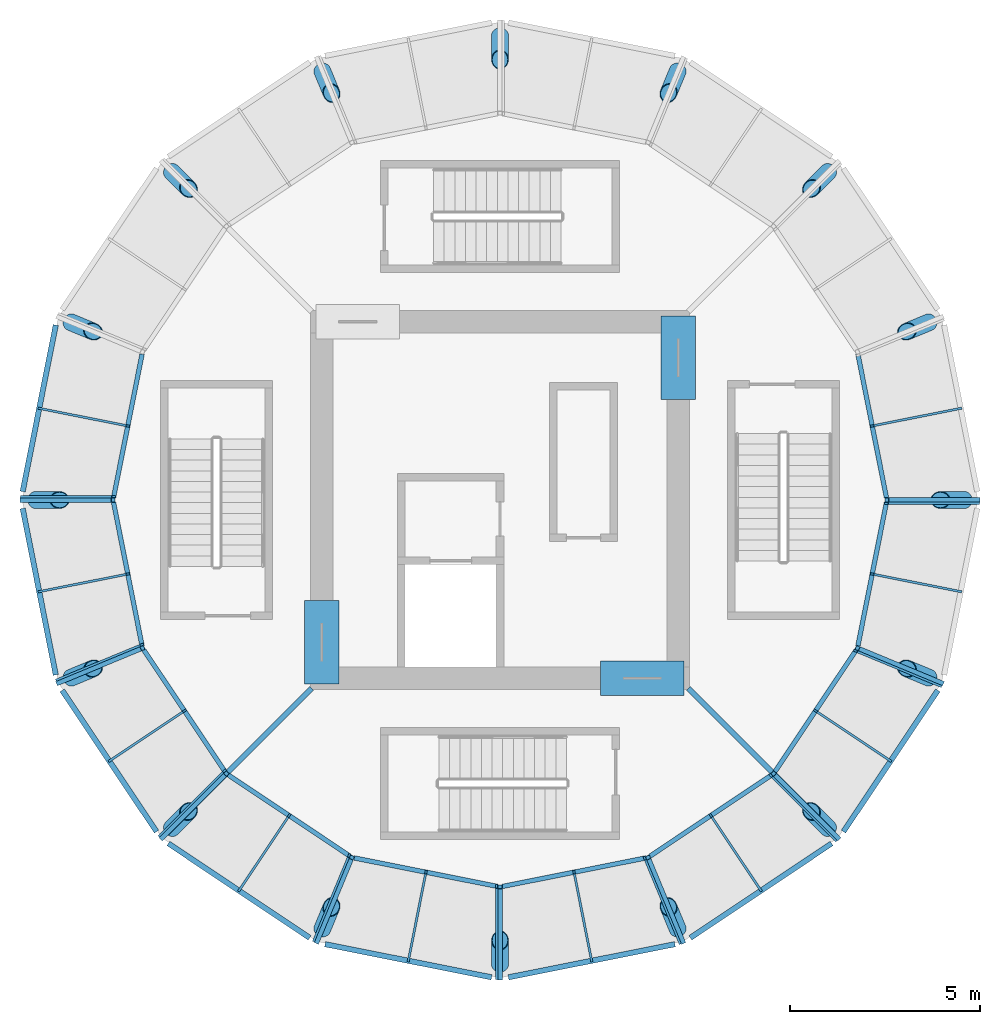
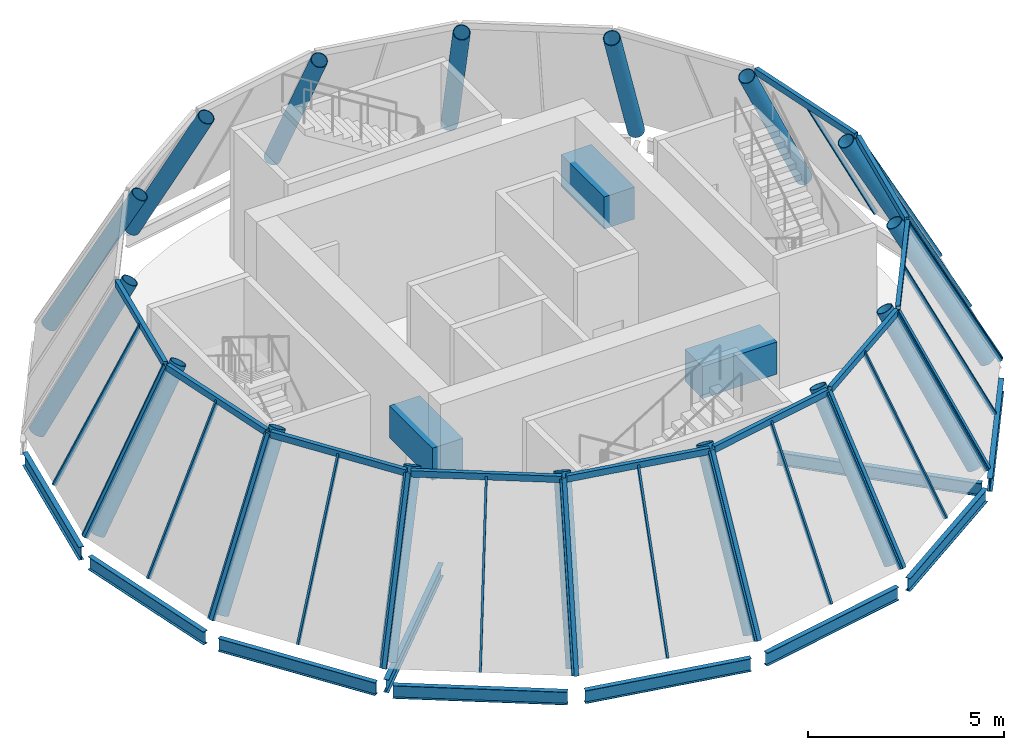
# One storey, part 1 of 5: 38 members, 16 columns, 13 beams, 10 elements without a shape of their own.
"""IFC4 building model written with IfcOpenShell, lengths in metres."""

from ifc_helpers import new_model, si_unit, direction, frame, origin, origin_2d, place, context, subcontext, project, spatial, rectangle, hollow_rectangle, hollow_circle, i_section, extrude, material, material_profile, profile_set, type_object, element, aggregate, save


model = new_model("IFC4")

# Units and contexts
model_context = context("Model", 3, precision=1e-05, world=origin(), true_north=direction((0.0, 1.0)))
body_context = subcontext(model_context, "Body", "Model", "MODEL_VIEW")
ifc_project = project(units=[si_unit("LENGTHUNIT", "METRE"), si_unit("AREAUNIT", "SQUARE_METRE"), si_unit("VOLUMEUNIT", "CUBIC_METRE"), si_unit("PLANEANGLEUNIT", "RADIAN"), si_unit("MASSUNIT", "GRAM", prefix="KILO")], contexts=[model_context])

# Site, building, storey
site_placement = place(None, origin())
site = spatial("IfcSite", under=ifc_project, at=site_placement, CompositionType="ELEMENT")
building_placement = place(site_placement, origin())
building = spatial("IfcBuilding", under=site, at=building_placement, Name="Corvane Civic Tower", CompositionType="ELEMENT")
storey_placement = place(building_placement, frame((0.0, 0.0, 402.0)))
storey = spatial("IfcBuildingStorey", under=building, at=storey_placement, Name="L95", CompositionType="ELEMENT", Elevation=402.0)

# Columns
ifc_material_1 = material(Name="Steel ASTM A572 Gr 50", Category="steel")
ifc_material_profile_1 = material_profile(ifc_material_1, hollow_circle(Radius=0.22509765625, WallThickness=0.02001953125, at=origin_2d()), Name="CHS450X20")
ifc_profile_set_1 = profile_set([ifc_material_profile_1], Name="Steel ASTM A572 Gr 50")
column_type = type_object("IfcColumnType", Name="CROWN RIB CHS450X20", PredefinedType="COLUMN", material=ifc_profile_set_1)
for number, where, z_axis, x_axis, name in (
    (1, (0.0, 12.24658203125, 0.00634765625), (0.0, -0.470608158526, 0.882342315164), (1.0, 0.0, 0.0), "Crown rib CR-1"),
    (2, (4.6865234375, 11.314453125, 0.00634765625), (-0.180078815568, -0.434770622931, 0.88235260844), (0.923886348888, -0.382666975762, 0.0), "Crown rib CR-3"),
    (3, (8.65966796875, 8.65966796875, 0.00634765625), (-0.332758889754, -0.332758889754, 0.882350861381), (0.707106781187, -0.707106781187, 0.0), "Crown rib CR-5"),
    (4, (11.314453125, 4.6865234375, 0.00634765625), (-0.434770622931, -0.180078815568, 0.88235260844), (0.382666975762, -0.923886348888, 0.0), "Crown rib CR-7"),
    (5, (12.24658203125, 0.0, 0.00634765625), (-0.470608158526, 0.0, 0.882342315164), (0.0, -1.0, 0.0), "Crown rib CR-9"),
    (6, (11.314453125, -4.6865234375, 0.00634765625), (-0.434770622931, 0.180078815568, 0.88235260844), (-0.382666975762, -0.923886348888, 0.0), "Crown rib CR-11"),
    (7, (8.65966796875, -8.65966796875, 0.00634765625), (-0.332758889754, 0.332758889754, 0.882350861381), (-0.707106781187, -0.707106781187, 0.0), "Crown rib CR-13"),
    (8, (4.6865234375, -11.314453125, 0.00634765625), (-0.180078815568, 0.434770622931, 0.88235260844), (-0.923886348888, -0.382666975762, 0.0), "Crown rib CR-15"),
    (9, (0.0, -12.24658203125, 0.00634765625), (0.0, 0.470608158526, 0.882342315164), (-1.0, 0.0, 0.0), "Crown rib CR-17"),
    (10, (-4.6865234375, -11.314453125, 0.00634765625), (0.180078815568, 0.434770622931, 0.88235260844), (-0.923886348888, 0.382666975762, 0.0), "Crown rib CR-19"),
    (11, (-8.65966796875, -8.65966796875, 0.00634765625), (0.332758889754, 0.332758889754, 0.882350861381), (-0.707106781187, 0.707106781187, 0.0), "Crown rib CR-21"),
    (12, (-11.314453125, -4.6865234375, 0.00634765625), (0.434770622931, 0.180078815568, 0.88235260844), (-0.382666975762, 0.923886348888, 0.0), "Crown rib CR-23"),
    (13, (-12.24658203125, 0.0, 0.00634765625), (0.470608158526, 0.0, 0.882342315164), (0.0, 1.0, 0.0), "Crown rib CR-25"),
    (14, (-11.314453125, 4.6865234375, 0.00634765625), (0.434770622931, -0.180078815568, 0.88235260844), (0.382666975762, 0.923886348888, 0.0), "Crown rib CR-27"),
    (15, (-8.65966796875, 8.65966796875, 0.00634765625), (0.332758889754, -0.332758889754, 0.882350861381), (0.707106781187, 0.707106781187, 0.0), "Crown rib CR-29"),
    (16, (-4.6865234375, 11.314453125, 0.00634765625), (0.180078815568, -0.434770622931, 0.88235260844), (0.923886348888, 0.382666975762, 0.0), "Crown rib CR-31"),
):
    element("IfcColumn", number, at=place(storey_placement, frame(where, z_axis=z_axis, x_axis=x_axis)), inside=storey, type_object=column_type, Name=name, PredefinedType="COLUMN", context=body_context, shape_type="SweptSolid", body=[
        extrude(hollow_circle(Radius=0.22509765625, WallThickness=0.02001953125, at=origin_2d()), origin(), (0.0, 0.0, 1.0), 5.088134765625),
    ])

# Beams
ifc_material_2 = material(Name="Concrete C40/50", Category="concrete")
ifc_material_profile_2 = material_profile(ifc_material_2, rectangle(XDim=0.89990234375, YDim=1.0, at=origin_2d()), Name="COUPLING BEAM 900X1000")
ifc_profile_set_2 = profile_set([ifc_material_profile_2], Name="Concrete C40/50")
beam_type_1 = type_object("IfcBeamType", Name="COUPLING BEAM COUPLING BEAM 900X1000", PredefinedType="BEAM", material=ifc_profile_set_2)
for number, where, z_axis, x_axis, name in (
    (17, (4.699951171875, 2.64990234375, 2.60009765625), (0.0, 1.0, 0.0), (-1.0, 0.0, 0.0), "BM-L95-cpl-CW-E"),
    (18, (-4.699951171875, -4.85009765625, 2.60009765625), (0.0, 1.0, 0.0), (-1.0, 0.0, 0.0), "BM-L95-cpl-CW-W"),
    (19, (2.64990234375, -4.699951171875, 2.60009765625), (1.0, 0.0, 0.0), (0.0, 1.0, 0.0), "BM-L95-cpl-CW-S"),
):
    element("IfcBeam", number, at=place(storey_placement, frame(where, z_axis=z_axis, x_axis=x_axis)), inside=storey, type_object=beam_type_1, Name=name, PredefinedType="BEAM", context=body_context, shape_type="SweptSolid", body=[
        extrude(rectangle(XDim=0.89990234375, YDim=1.0, at=origin_2d()), origin(), (0.0, 0.0, 1.0), 2.2001953125),
    ])

# Curtain wall, members
ifc_material_3 = material(Name="Aluminium and glass", Category="aluminium")
curtain_wall_type = type_object("IfcCurtainWallType", Name="CROWN-CW-K-FACET", PredefinedType="NOTDEFINED", material=ifc_material_3)
curtain_wall_1_placement = place(storey_placement, origin())
curtain_wall_1 = element("IfcCurtainWall", 20, at=curtain_wall_1_placement, inside=storey, type_object=curtain_wall_type, Name="Glass cone facet 4 row 4", PredefinedType="NOTDEFINED")
ifc_material_4 = material(Name="Steel ASTM A500 Gr C", Category="steel")
ifc_material_profile_3 = material_profile(ifc_material_4, hollow_rectangle(XDim=0.06005859375, YDim=0.1201171875, WallThickness=0.0048828125, at=origin_2d()), Name="RHS 120x60x5")
ifc_profile_set_3 = profile_set([ifc_material_profile_3], Name="Steel ASTM A500 Gr C")
member_type_1 = type_object("IfcMemberType", Name="CROWN-CWK-MULLION-RHS120x60x5", PredefinedType="MULLION", material=ifc_profile_set_3)
member_1_placement = place(storey_placement, frame((-12.12060546875, 2.410888671875, 0.0), z_axis=(0.454625825954, -0.090425206579, 0.886080493178), x_axis=(0.195078923253, 0.980787547689, 0.0)))
member_1 = element("IfcMember", 21, at=member_1_placement, type_object=member_type_1, Name="Cone mullion 4.4M", PredefinedType="MULLION", context=body_context, shape_type="SweptSolid", body=[
    extrude(hollow_rectangle(XDim=0.06005859375, YDim=0.1201171875, WallThickness=0.0048828125, at=origin_2d()), origin(), (0.0, 0.0, 1.0), 5.07861328125),
])
member_2_placement = place(storey_placement, frame((-12.58251953125, 0.08837890625, 0.0), z_axis=(0.470610596591, 0.0, 0.882341014787), x_axis=(0.0, 1.0, 0.0)))
member_2 = element("IfcMember", 22, at=member_2_placement, type_object=member_type_1, Name="Cone mullion 4.4J", PredefinedType="MULLION", context=body_context, shape_type="SweptSolid", body=[
    extrude(hollow_rectangle(XDim=0.06005859375, YDim=0.1201171875, WallThickness=0.0048828125, at=origin_2d()), origin(), (0.0, 0.0, 1.0), 5.10009765625),
])

curtain_wall_2_placement = place(storey_placement, origin())
curtain_wall_2 = element("IfcCurtainWall", 23, at=curtain_wall_2_placement, inside=storey, type_object=curtain_wall_type, Name="Glass cone facet 5 row 4", PredefinedType="NOTDEFINED")
member_3_placement = place(storey_placement, frame((-12.12060546875, -2.410888671875, 0.0), z_axis=(0.454625825954, 0.090425206579, 0.886080493178), x_axis=(-0.195078923253, 0.980787547689, 0.0)))
member_3 = element("IfcMember", 24, at=member_3_placement, type_object=member_type_1, Name="Cone mullion 5.4M", PredefinedType="MULLION", context=body_context, shape_type="SweptSolid", body=[
    extrude(hollow_rectangle(XDim=0.06005859375, YDim=0.1201171875, WallThickness=0.0048828125, at=origin_2d()), origin(), (0.0, 0.0, 1.0), 5.07861328125),
])
member_4_placement = place(storey_placement, frame((-11.658447265625, -4.7333984375, 0.0), z_axis=(0.434762490844, 0.180089902065, 0.882354352701), x_axis=(-0.382693194178, 0.923875488976, 0.0)))
member_4 = element("IfcMember", 25, at=member_4_placement, type_object=member_type_1, Name="Cone mullion 5.4J", PredefinedType="MULLION", context=body_context, shape_type="SweptSolid", body=[
    extrude(hollow_rectangle(XDim=0.06005859375, YDim=0.1201171875, WallThickness=0.0048828125, at=origin_2d()), origin(), (0.0, 0.0, 1.0), 5.10009765625),
])

curtain_wall_3_placement = place(storey_placement, origin())
curtain_wall_3 = element("IfcCurtainWall", 26, at=curtain_wall_3_placement, inside=storey, type_object=curtain_wall_type, Name="Glass cone facet 6 row 4", PredefinedType="NOTDEFINED")
member_5_placement = place(storey_placement, frame((-10.275146484375, -6.865478515625, 0.0), z_axis=(0.385366081489, 0.257487616324, 0.886111229292), x_axis=(-0.555561630453, 0.831475360289, 0.0)))
member_5 = element("IfcMember", 27, at=member_5_placement, type_object=member_type_1, Name="Cone mullion 6.4M", PredefinedType="MULLION", context=body_context, shape_type="SweptSolid", body=[
    extrude(hollow_rectangle(XDim=0.06005859375, YDim=0.1201171875, WallThickness=0.0048828125, at=origin_2d()), origin(), (0.0, 0.0, 1.0), 5.078369140625),
])
member_6_placement = place(storey_placement, frame((-8.95947265625, -8.834716796875, 0.0), z_axis=(0.332750821305, 0.332750821305, 0.882356946956), x_axis=(-0.707106781187, 0.707106781187, 0.0)))
member_6 = element("IfcMember", 28, at=member_6_placement, type_object=member_type_1, Name="Cone mullion 6.4J", PredefinedType="MULLION", context=body_context, shape_type="SweptSolid", body=[
    extrude(hollow_rectangle(XDim=0.06005859375, YDim=0.1201171875, WallThickness=0.0048828125, at=origin_2d()), origin(), (0.0, 0.0, 1.0), 5.10009765625),
])

curtain_wall_4_placement = place(storey_placement, origin())
curtain_wall_4 = element("IfcCurtainWall", 29, at=curtain_wall_4_placement, inside=storey, type_object=curtain_wall_type, Name="Glass cone facet 7 row 4", PredefinedType="NOTDEFINED")
member_7_placement = place(storey_placement, frame((-6.865478515625, -10.275146484375, 0.0), z_axis=(0.257487616324, 0.385366081489, 0.886111229292), x_axis=(-0.831475360289, 0.555561630453, 0.0)))
member_7 = element("IfcMember", 30, at=member_7_placement, type_object=member_type_1, Name="Cone mullion 7.4M", PredefinedType="MULLION", context=body_context, shape_type="SweptSolid", body=[
    extrude(hollow_rectangle(XDim=0.06005859375, YDim=0.1201171875, WallThickness=0.0048828125, at=origin_2d()), origin(), (0.0, 0.0, 1.0), 5.078369140625),
])
member_8_placement = place(storey_placement, frame((-4.896484375, -11.5908203125, 0.0), z_axis=(0.180043583242, 0.434766238501, 0.882361958605), x_axis=(-0.923911452626, 0.3826063613, 0.0)))
member_8 = element("IfcMember", 31, at=member_8_placement, type_object=member_type_1, Name="Cone mullion 7.4J", PredefinedType="MULLION", context=body_context, shape_type="SweptSolid", body=[
    extrude(hollow_rectangle(XDim=0.06005859375, YDim=0.1201171875, WallThickness=0.0048828125, at=origin_2d()), origin(), (0.0, 0.0, 1.0), 5.099853515625),
])

curtain_wall_5_placement = place(storey_placement, origin())
curtain_wall_5 = element("IfcCurtainWall", 32, at=curtain_wall_5_placement, inside=storey, type_object=curtain_wall_type, Name="Glass cone facet 8 row 4", PredefinedType="NOTDEFINED")
member_9_placement = place(storey_placement, frame((-2.410888671875, -12.12060546875, 0.0), z_axis=(0.090425206579, 0.454625825954, 0.886080493178), x_axis=(-0.980787547689, 0.195078923253, 0.0)))
member_9 = element("IfcMember", 33, at=member_9_placement, type_object=member_type_1, Name="Cone mullion 8.4M", PredefinedType="MULLION", context=body_context, shape_type="SweptSolid", body=[
    extrude(hollow_rectangle(XDim=0.06005859375, YDim=0.1201171875, WallThickness=0.0048828125, at=origin_2d()), origin(), (0.0, 0.0, 1.0), 5.07861328125),
])
member_10_placement = place(storey_placement, frame((-0.08837890625, -12.58251953125, 0.0), z_axis=(0.0, 0.470610596591, 0.882341014787), x_axis=(-1.0, 0.0, 0.0)))
member_10 = element("IfcMember", 34, at=member_10_placement, type_object=member_type_1, Name="Cone mullion 8.4J", PredefinedType="MULLION", context=body_context, shape_type="SweptSolid", body=[
    extrude(hollow_rectangle(XDim=0.06005859375, YDim=0.1201171875, WallThickness=0.0048828125, at=origin_2d()), origin(), (0.0, 0.0, 1.0), 5.10009765625),
])

curtain_wall_6_placement = place(storey_placement, origin())
curtain_wall_6 = element("IfcCurtainWall", 35, at=curtain_wall_6_placement, inside=storey, type_object=curtain_wall_type, Name="Glass cone facet 9 row 4", PredefinedType="NOTDEFINED")
member_11_placement = place(storey_placement, frame((2.410888671875, -12.12060546875, 0.0), z_axis=(-0.090425206579, 0.454625825954, 0.886080493178), x_axis=(-0.980787547689, -0.195078923253, 0.0)))
member_11 = element("IfcMember", 36, at=member_11_placement, type_object=member_type_1, Name="Cone mullion 9.4M", PredefinedType="MULLION", context=body_context, shape_type="SweptSolid", body=[
    extrude(hollow_rectangle(XDim=0.06005859375, YDim=0.1201171875, WallThickness=0.0048828125, at=origin_2d()), origin(), (0.0, 0.0, 1.0), 5.07861328125),
])
member_12_placement = place(storey_placement, frame((4.7333984375, -11.658447265625, 0.0), z_axis=(-0.180089902065, 0.434762490844, 0.882354352701), x_axis=(-0.923875488976, -0.382693194178, 0.0)))
member_12 = element("IfcMember", 37, at=member_12_placement, type_object=member_type_1, Name="Cone mullion 9.4J", PredefinedType="MULLION", context=body_context, shape_type="SweptSolid", body=[
    extrude(hollow_rectangle(XDim=0.06005859375, YDim=0.1201171875, WallThickness=0.0048828125, at=origin_2d()), origin(), (0.0, 0.0, 1.0), 5.10009765625),
])

curtain_wall_7_placement = place(storey_placement, origin())
curtain_wall_7 = element("IfcCurtainWall", 38, at=curtain_wall_7_placement, inside=storey, type_object=curtain_wall_type, Name="Glass cone facet 10 row 4", PredefinedType="NOTDEFINED")
member_13_placement = place(storey_placement, frame((6.865478515625, -10.275146484375, 0.0), z_axis=(-0.257487616324, 0.385366081489, 0.886111229292), x_axis=(-0.831475360289, -0.555561630453, 0.0)))
member_13 = element("IfcMember", 39, at=member_13_placement, type_object=member_type_1, Name="Cone mullion 10.4M", PredefinedType="MULLION", context=body_context, shape_type="SweptSolid", body=[
    extrude(hollow_rectangle(XDim=0.06005859375, YDim=0.1201171875, WallThickness=0.0048828125, at=origin_2d()), origin(), (0.0, 0.0, 1.0), 5.078369140625),
])
member_14_placement = place(storey_placement, frame((8.834716796875, -8.95947265625, 0.0), z_axis=(-0.332750821305, 0.332750821305, 0.882356946956), x_axis=(-0.707106781187, -0.707106781187, 0.0)))
member_14 = element("IfcMember", 40, at=member_14_placement, type_object=member_type_1, Name="Cone mullion 10.4J", PredefinedType="MULLION", context=body_context, shape_type="SweptSolid", body=[
    extrude(hollow_rectangle(XDim=0.06005859375, YDim=0.1201171875, WallThickness=0.0048828125, at=origin_2d()), origin(), (0.0, 0.0, 1.0), 5.10009765625),
])

curtain_wall_8_placement = place(storey_placement, origin())
curtain_wall_8 = element("IfcCurtainWall", 41, at=curtain_wall_8_placement, inside=storey, type_object=curtain_wall_type, Name="Glass cone facet 11 row 4", PredefinedType="NOTDEFINED")
member_15_placement = place(storey_placement, frame((10.275146484375, -6.865478515625, 0.0), z_axis=(-0.385366081489, 0.257487616324, 0.886111229292), x_axis=(-0.555561630453, -0.831475360289, 0.0)))
member_15 = element("IfcMember", 42, at=member_15_placement, type_object=member_type_1, Name="Cone mullion 11.4M", PredefinedType="MULLION", context=body_context, shape_type="SweptSolid", body=[
    extrude(hollow_rectangle(XDim=0.06005859375, YDim=0.1201171875, WallThickness=0.0048828125, at=origin_2d()), origin(), (0.0, 0.0, 1.0), 5.078369140625),
])
member_16_placement = place(storey_placement, frame((11.5908203125, -4.896484375, 0.0), z_axis=(-0.434766238501, 0.180043583242, 0.882361958605), x_axis=(-0.3826063613, -0.923911452626, 0.0)))
member_16 = element("IfcMember", 43, at=member_16_placement, type_object=member_type_1, Name="Cone mullion 11.4J", PredefinedType="MULLION", context=body_context, shape_type="SweptSolid", body=[
    extrude(hollow_rectangle(XDim=0.06005859375, YDim=0.1201171875, WallThickness=0.0048828125, at=origin_2d()), origin(), (0.0, 0.0, 1.0), 5.099853515625),
])

curtain_wall_9_placement = place(storey_placement, origin())
curtain_wall_9 = element("IfcCurtainWall", 44, at=curtain_wall_9_placement, inside=storey, type_object=curtain_wall_type, Name="Glass cone facet 12 row 4", PredefinedType="NOTDEFINED")
member_17_placement = place(storey_placement, frame((12.12060546875, -2.410888671875, 0.0), z_axis=(-0.454625825954, 0.090425206579, 0.886080493178), x_axis=(-0.195078923253, -0.980787547689, 0.0)))
member_17 = element("IfcMember", 45, at=member_17_placement, type_object=member_type_1, Name="Cone mullion 12.4M", PredefinedType="MULLION", context=body_context, shape_type="SweptSolid", body=[
    extrude(hollow_rectangle(XDim=0.06005859375, YDim=0.1201171875, WallThickness=0.0048828125, at=origin_2d()), origin(), (0.0, 0.0, 1.0), 5.07861328125),
])
member_18_placement = place(storey_placement, frame((12.58251953125, -0.08837890625, 0.0), z_axis=(-0.470610596591, 0.0, 0.882341014787), x_axis=(0.0, -1.0, 0.0)))
member_18 = element("IfcMember", 46, at=member_18_placement, type_object=member_type_1, Name="Cone mullion 12.4J", PredefinedType="MULLION", context=body_context, shape_type="SweptSolid", body=[
    extrude(hollow_rectangle(XDim=0.06005859375, YDim=0.1201171875, WallThickness=0.0048828125, at=origin_2d()), origin(), (0.0, 0.0, 1.0), 5.10009765625),
])

# Curtain wall, member
curtain_wall_10_placement = place(storey_placement, origin())
curtain_wall_10 = element("IfcCurtainWall", 47, at=curtain_wall_10_placement, inside=storey, type_object=curtain_wall_type, Name="Glass cone facet 13 row 4", PredefinedType="NOTDEFINED")
member_19_placement = place(storey_placement, frame((12.12060546875, 2.410888671875, 0.0), z_axis=(-0.454625825954, -0.090425206579, 0.886080493178), x_axis=(0.195078923253, -0.980787547689, 0.0)))
member_19 = element("IfcMember", 48, at=member_19_placement, type_object=member_type_1, Name="Cone mullion 13.4M", PredefinedType="MULLION", context=body_context, shape_type="SweptSolid", body=[
    extrude(hollow_rectangle(XDim=0.06005859375, YDim=0.1201171875, WallThickness=0.0048828125, at=origin_2d()), origin(), (0.0, 0.0, 1.0), 5.07861328125),
])

# Member
ifc_material_5 = material(Name="Steel ASTM A500 Gr C", Category="steel")
ifc_material_profile_4 = material_profile(ifc_material_5, hollow_rectangle(XDim=0.1201171875, YDim=0.1201171875, WallThickness=0.006103515625, at=origin_2d()), Name="RHS 120x120x6")
ifc_profile_set_4 = profile_set([ifc_material_profile_4], Name="Steel ASTM A500 Gr C")
member_type_2 = type_object("IfcMemberType", Name="CROWN-CWK-RIB-RHS120x120x6", PredefinedType="MULLION", material=ifc_profile_set_4)
member_20_placement = place(storey_placement, frame((-12.60009765625, 0.0, 0.0), z_axis=(0.470610596591, 0.0, 0.882341014787), x_axis=(0.0, 1.0, 0.0)))
member_20 = element("IfcMember", 49, at=member_20_placement, type_object=member_type_2, Name="Cone rib 5.4", PredefinedType="MULLION", context=body_context, shape_type="SweptSolid", body=[
    extrude(hollow_rectangle(XDim=0.1201171875, YDim=0.1201171875, WallThickness=0.006103515625, at=origin_2d()), origin(), (0.0, 0.0, 1.0), 5.10009765625),
])

member_21_placement = place(storey_placement, frame((-11.640869140625, -4.82177734375, 0.0), z_axis=(0.434762490844, 0.180089902065, 0.882354352701), x_axis=(-0.382693194178, 0.923875488976, 0.0)))
member_21 = element("IfcMember", 50, at=member_21_placement, type_object=member_type_2, Name="Cone rib 6.4", PredefinedType="MULLION", context=body_context, shape_type="SweptSolid", body=[
    extrude(hollow_rectangle(XDim=0.1201171875, YDim=0.1201171875, WallThickness=0.006103515625, at=origin_2d()), origin(), (0.0, 0.0, 1.0), 5.10009765625),
])

member_22_placement = place(storey_placement, frame((-8.909423828125, -8.909423828125, 0.0), z_axis=(0.332750821305, 0.332750821305, 0.882356946956), x_axis=(-0.707106781187, 0.707106781187, 0.0)))
member_22 = element("IfcMember", 51, at=member_22_placement, type_object=member_type_2, Name="Cone rib 7.4", PredefinedType="MULLION", context=body_context, shape_type="SweptSolid", body=[
    extrude(hollow_rectangle(XDim=0.1201171875, YDim=0.1201171875, WallThickness=0.006103515625, at=origin_2d()), origin(), (0.0, 0.0, 1.0), 5.10009765625),
])

member_23_placement = place(storey_placement, frame((-4.82177734375, -11.640869140625, 0.0), z_axis=(0.180089902065, 0.434762490844, 0.882354352701), x_axis=(-0.923875488976, 0.382693194178, 0.0)))
member_23 = element("IfcMember", 52, at=member_23_placement, type_object=member_type_2, Name="Cone rib 8.4", PredefinedType="MULLION", context=body_context, shape_type="SweptSolid", body=[
    extrude(hollow_rectangle(XDim=0.1201171875, YDim=0.1201171875, WallThickness=0.006103515625, at=origin_2d()), origin(), (0.0, 0.0, 1.0), 5.10009765625),
])

member_24_placement = place(storey_placement, frame((0.0, -12.60009765625, 0.0), z_axis=(0.0, 0.470610596591, 0.882341014787), x_axis=(-1.0, 0.0, 0.0)))
member_24 = element("IfcMember", 53, at=member_24_placement, type_object=member_type_2, Name="Cone rib 9.4", PredefinedType="MULLION", context=body_context, shape_type="SweptSolid", body=[
    extrude(hollow_rectangle(XDim=0.1201171875, YDim=0.1201171875, WallThickness=0.006103515625, at=origin_2d()), origin(), (0.0, 0.0, 1.0), 5.10009765625),
])

member_25_placement = place(storey_placement, frame((4.82177734375, -11.640869140625, 0.0), z_axis=(-0.180089902065, 0.434762490844, 0.882354352701), x_axis=(-0.923875488976, -0.382693194178, 0.0)))
member_25 = element("IfcMember", 54, at=member_25_placement, type_object=member_type_2, Name="Cone rib 10.4", PredefinedType="MULLION", context=body_context, shape_type="SweptSolid", body=[
    extrude(hollow_rectangle(XDim=0.1201171875, YDim=0.1201171875, WallThickness=0.006103515625, at=origin_2d()), origin(), (0.0, 0.0, 1.0), 5.10009765625),
])

member_26_placement = place(storey_placement, frame((8.909423828125, -8.909423828125, 0.0), z_axis=(-0.332750821305, 0.332750821305, 0.882356946956), x_axis=(-0.707106781187, -0.707106781187, 0.0)))
member_26 = element("IfcMember", 55, at=member_26_placement, type_object=member_type_2, Name="Cone rib 11.4", PredefinedType="MULLION", context=body_context, shape_type="SweptSolid", body=[
    extrude(hollow_rectangle(XDim=0.1201171875, YDim=0.1201171875, WallThickness=0.006103515625, at=origin_2d()), origin(), (0.0, 0.0, 1.0), 5.10009765625),
])

member_27_placement = place(storey_placement, frame((11.640869140625, -4.82177734375, 0.0), z_axis=(-0.434762490844, 0.180089902065, 0.882354352701), x_axis=(-0.382693194178, -0.923875488976, 0.0)))
member_27 = element("IfcMember", 56, at=member_27_placement, type_object=member_type_2, Name="Cone rib 12.4", PredefinedType="MULLION", context=body_context, shape_type="SweptSolid", body=[
    extrude(hollow_rectangle(XDim=0.1201171875, YDim=0.1201171875, WallThickness=0.006103515625, at=origin_2d()), origin(), (0.0, 0.0, 1.0), 5.10009765625),
])

member_28_placement = place(storey_placement, frame((12.60009765625, 0.0, 0.0), z_axis=(-0.470610596591, 0.0, 0.882341014787), x_axis=(0.0, -1.0, 0.0)))
member_28 = element("IfcMember", 57, at=member_28_placement, type_object=member_type_2, Name="Cone rib 13.4", PredefinedType="MULLION", context=body_context, shape_type="SweptSolid", body=[
    extrude(hollow_rectangle(XDim=0.1201171875, YDim=0.1201171875, WallThickness=0.006103515625, at=origin_2d()), origin(), (0.0, 0.0, 1.0), 5.10009765625),
])

ifc_material_6 = material(Name="Steel ASTM A500 Gr C", Category="steel")
ifc_material_profile_5 = material_profile(ifc_material_6, hollow_rectangle(XDim=0.1201171875, YDim=0.199951171875, WallThickness=0.006103515625, at=origin_2d()), Name="RHS 200x120x6")
ifc_profile_set_5 = profile_set([ifc_material_profile_5], Name="Steel ASTM A500 Gr C")
member_type_3 = type_object("IfcMemberType", Name="CROWN-CWK-RING-RHS200x120x6", PredefinedType="USERDEFINED", material=ifc_profile_set_5)
member_29_placement = place(storey_placement, frame((-9.435302734375, 3.844482421875, 4.5), z_axis=(-0.195069928691, -0.980789336667, 0.0), x_axis=(0.980789336667, -0.195069928691, 0.0)))
member_29 = element("IfcMember", 58, at=member_29_placement, type_object=member_type_3, Name="Cone ring member 4.4", ObjectType="TRANSOM", PredefinedType="USERDEFINED", context=body_context, shape_type="SweptSolid", body=[
    extrude(hollow_rectangle(XDim=0.1201171875, YDim=0.199951171875, WallThickness=0.006103515625, at=origin_2d()), origin(), (0.0, 0.0, 1.0), 3.85986328125),
])

aggregate(curtain_wall_1, [member_29, member_1, member_2])

member_30_placement = place(storey_placement, frame((-10.188232421875, -0.058837890625, 4.5), z_axis=(0.195069928691, -0.980789336667, 0.0), x_axis=(0.980789336667, 0.195069928691, 0.0)))
member_30 = element("IfcMember", 59, at=member_30_placement, type_object=member_type_3, Name="Cone ring member 5.4", ObjectType="TRANSOM", PredefinedType="USERDEFINED", context=body_context, shape_type="SweptSolid", body=[
    extrude(hollow_rectangle(XDim=0.1201171875, YDim=0.199951171875, WallThickness=0.006103515625, at=origin_2d()), origin(), (0.0, 0.0, 1.0), 3.85986328125),
])

aggregate(curtain_wall_2, [member_20, member_30, member_3, member_4])

member_31_placement = place(storey_placement, frame((-9.39013671875, -3.953125, 4.5), z_axis=(0.555575638723, -0.831466000302, 0.0), x_axis=(0.831466000302, 0.555575638723, 0.0)))
member_31 = element("IfcMember", 60, at=member_31_placement, type_object=member_type_3, Name="Cone ring member 6.4", ObjectType="TRANSOM", PredefinedType="USERDEFINED", context=body_context, shape_type="SweptSolid", body=[
    extrude(hollow_rectangle(XDim=0.1201171875, YDim=0.199951171875, WallThickness=0.006103515625, at=origin_2d()), origin(), (0.0, 0.0, 1.0), 3.860107421875),
])

aggregate(curtain_wall_3, [member_21, member_31, member_5, member_6])

member_32_placement = place(storey_placement, frame((-7.16259765625, -7.24560546875, 4.5), z_axis=(0.831466000302, -0.555575638723, 0.0), x_axis=(0.555575638723, 0.831466000302, 0.0)))
member_32 = element("IfcMember", 61, at=member_32_placement, type_object=member_type_3, Name="Cone ring member 7.4", ObjectType="TRANSOM", PredefinedType="USERDEFINED", context=body_context, shape_type="SweptSolid", body=[
    extrude(hollow_rectangle(XDim=0.1201171875, YDim=0.199951171875, WallThickness=0.006103515625, at=origin_2d()), origin(), (0.0, 0.0, 1.0), 3.860107421875),
])

aggregate(curtain_wall_4, [member_22, member_32, member_7, member_8])

member_33_placement = place(storey_placement, frame((-3.844482421875, -9.435302734375, 4.5), z_axis=(0.980789336667, -0.195069928691, 0.0), x_axis=(0.195069928691, 0.980789336667, 0.0)))
member_33 = element("IfcMember", 62, at=member_33_placement, type_object=member_type_3, Name="Cone ring member 8.4", ObjectType="TRANSOM", PredefinedType="USERDEFINED", context=body_context, shape_type="SweptSolid", body=[
    extrude(hollow_rectangle(XDim=0.1201171875, YDim=0.199951171875, WallThickness=0.006103515625, at=origin_2d()), origin(), (0.0, 0.0, 1.0), 3.85986328125),
])

aggregate(curtain_wall_5, [member_23, member_33, member_9, member_10])

member_34_placement = place(storey_placement, frame((0.058837890625, -10.188232421875, 4.5), z_axis=(0.980789336667, 0.195069928691, 0.0), x_axis=(-0.195069928691, 0.980789336667, 0.0)))
member_34 = element("IfcMember", 63, at=member_34_placement, type_object=member_type_3, Name="Cone ring member 9.4", ObjectType="TRANSOM", PredefinedType="USERDEFINED", context=body_context, shape_type="SweptSolid", body=[
    extrude(hollow_rectangle(XDim=0.1201171875, YDim=0.199951171875, WallThickness=0.006103515625, at=origin_2d()), origin(), (0.0, 0.0, 1.0), 3.85986328125),
])

aggregate(curtain_wall_6, [member_24, member_34, member_11, member_12])

member_35_placement = place(storey_placement, frame((3.953125, -9.39013671875, 4.5), z_axis=(0.831466000302, 0.555575638723, 0.0), x_axis=(-0.555575638723, 0.831466000302, 0.0)))
member_35 = element("IfcMember", 64, at=member_35_placement, type_object=member_type_3, Name="Cone ring member 10.4", ObjectType="TRANSOM", PredefinedType="USERDEFINED", context=body_context, shape_type="SweptSolid", body=[
    extrude(hollow_rectangle(XDim=0.1201171875, YDim=0.199951171875, WallThickness=0.006103515625, at=origin_2d()), origin(), (0.0, 0.0, 1.0), 3.860107421875),
])

aggregate(curtain_wall_7, [member_25, member_35, member_13, member_14])

member_36_placement = place(storey_placement, frame((7.24560546875, -7.16259765625, 4.5), z_axis=(0.555575638723, 0.831466000302, 0.0), x_axis=(-0.831466000302, 0.555575638723, 0.0)))
member_36 = element("IfcMember", 65, at=member_36_placement, type_object=member_type_3, Name="Cone ring member 11.4", ObjectType="TRANSOM", PredefinedType="USERDEFINED", context=body_context, shape_type="SweptSolid", body=[
    extrude(hollow_rectangle(XDim=0.1201171875, YDim=0.199951171875, WallThickness=0.006103515625, at=origin_2d()), origin(), (0.0, 0.0, 1.0), 3.860107421875),
])

aggregate(curtain_wall_8, [member_26, member_36, member_15, member_16])

member_37_placement = place(storey_placement, frame((9.435302734375, -3.844482421875, 4.5), z_axis=(0.195069928691, 0.980789336667, 0.0), x_axis=(-0.980789336667, 0.195069928691, 0.0)))
member_37 = element("IfcMember", 66, at=member_37_placement, type_object=member_type_3, Name="Cone ring member 12.4", ObjectType="TRANSOM", PredefinedType="USERDEFINED", context=body_context, shape_type="SweptSolid", body=[
    extrude(hollow_rectangle(XDim=0.1201171875, YDim=0.199951171875, WallThickness=0.006103515625, at=origin_2d()), origin(), (0.0, 0.0, 1.0), 3.85986328125),
])

aggregate(curtain_wall_9, [member_27, member_37, member_17, member_18])

member_38_placement = place(storey_placement, frame((10.188232421875, 0.058837890625, 4.5), z_axis=(-0.195069928691, 0.980789336667, 0.0), x_axis=(-0.980789336667, -0.195069928691, 0.0)))
member_38 = element("IfcMember", 67, at=member_38_placement, type_object=member_type_3, Name="Cone ring member 13.4", ObjectType="TRANSOM", PredefinedType="USERDEFINED", context=body_context, shape_type="SweptSolid", body=[
    extrude(hollow_rectangle(XDim=0.1201171875, YDim=0.199951171875, WallThickness=0.006103515625, at=origin_2d()), origin(), (0.0, 0.0, 1.0), 3.85986328125),
])

aggregate(curtain_wall_10, [member_28, member_38, member_19])

# Beams
ifc_material_7 = material(Name="Steel ASTM A992 Gr 50", Category="steel")
ifc_material_profile_6 = material_profile(ifc_material_7, i_section(OverallWidth=0.140380859375, OverallDepth=0.40380859375, WebThickness=0.007080078125, FlangeThickness=0.01123046875, at=origin_2d()), Name="W16X31")
ifc_profile_set_6 = profile_set([ifc_material_profile_6], Name="Steel ASTM A992 Gr 50")
beam_type_2 = type_object("IfcBeamType", Name="EDGE BEAM W16X31", PredefinedType="BEAM", material=ifc_profile_set_6)
for number, where, z_axis, x_axis, name in (
    (68, (11.54052734375, -5.01904296875, -0.65185546875), (-0.555543098894, -0.831487742106, 0.0), (0.831487742106, -0.555543098894, 0.0), "BM-L95-E06"),
    (69, (8.741455078125, -9.053466796875, -0.65185546875), (-0.831487742106, -0.555543098894, 0.0), (0.555543098894, -0.831487742106, 0.0), "BM-L95-E07"),
):
    element("IfcBeam", number, at=place(storey_placement, frame(where, z_axis=z_axis, x_axis=x_axis)), inside=storey, type_object=beam_type_2, Name=name, PredefinedType="BEAM", context=body_context, shape_type="SweptSolid", body=[
        extrude(i_section(OverallWidth=0.140380859375, OverallDepth=0.40380859375, WebThickness=0.007080078125, FlangeThickness=0.01123046875, at=origin_2d()), origin(), (0.0, 0.0, 1.0), 4.476806640625),
    ])
for number, where, z_axis, x_axis, name in (
    (70, (4.611328125, -11.70947265625, -0.65185546875), (-0.980787784913, -0.195077730573, 0.0), (0.195077730573, -0.980787784913, 0.0), "BM-L95-E08"),
    (71, (-0.220703125, -12.582763671875, -0.65185546875), (-0.980787784913, 0.195077730573, 0.0), (-0.195077730573, -0.980787784913, 0.0), "BM-L95-E09"),
):
    element("IfcBeam", number, at=place(storey_placement, frame(where, z_axis=z_axis, x_axis=x_axis)), inside=storey, type_object=beam_type_2, Name=name, PredefinedType="BEAM", context=body_context, shape_type="SweptSolid", body=[
        extrude(i_section(OverallWidth=0.140380859375, OverallDepth=0.40380859375, WebThickness=0.007080078125, FlangeThickness=0.01123046875, at=origin_2d()), origin(), (0.0, 0.0, 1.0), 4.4765625),
    ])
for number, where, z_axis, x_axis, name in (
    (72, (-5.01904296875, -11.54052734375, -0.65185546875), (-0.831487742106, 0.555543098894, 0.0), (-0.555543098894, -0.831487742106, 0.0), "BM-L95-E10"),
    (73, (-9.053466796875, -8.741455078125, -0.65185546875), (-0.555543098894, 0.831487742106, 0.0), (-0.831487742106, -0.555543098894, 0.0), "BM-L95-E11"),
):
    element("IfcBeam", number, at=place(storey_placement, frame(where, z_axis=z_axis, x_axis=x_axis)), inside=storey, type_object=beam_type_2, Name=name, PredefinedType="BEAM", context=body_context, shape_type="SweptSolid", body=[
        extrude(i_section(OverallWidth=0.140380859375, OverallDepth=0.40380859375, WebThickness=0.007080078125, FlangeThickness=0.01123046875, at=origin_2d()), origin(), (0.0, 0.0, 1.0), 4.476806640625),
    ])
for number, where, z_axis, x_axis, name in (
    (74, (-11.70947265625, -4.611328125, -0.65185546875), (-0.195077730573, 0.980787784913, 0.0), (-0.980787784913, -0.195077730573, 0.0), "BM-L95-E12"),
    (75, (-12.582763671875, 0.220703125, -0.65185546875), (0.195077730573, 0.980787784913, 0.0), (-0.980787784913, 0.195077730573, 0.0), "BM-L95-E13"),
):
    element("IfcBeam", number, at=place(storey_placement, frame(where, z_axis=z_axis, x_axis=x_axis)), inside=storey, type_object=beam_type_2, Name=name, PredefinedType="BEAM", context=body_context, shape_type="SweptSolid", body=[
        extrude(i_section(OverallWidth=0.140380859375, OverallDepth=0.40380859375, WebThickness=0.007080078125, FlangeThickness=0.01123046875, at=origin_2d()), origin(), (0.0, 0.0, 1.0), 4.4765625),
    ])
ifc_material_8 = material(Name="Steel ASTM A992 Gr 50", Category="steel")
ifc_material_profile_7 = material_profile(ifc_material_8, i_section(OverallWidth=0.140380859375, OverallDepth=0.40380859375, WebThickness=0.007080078125, FlangeThickness=0.01123046875, at=origin_2d()), Name="W16X31")
ifc_profile_set_7 = profile_set([ifc_material_profile_7], Name="Steel ASTM A992 Gr 50")
beam_type_3 = type_object("IfcBeamType", Name="FLOOR GIRDER W16X31", PredefinedType="BEAM", material=ifc_profile_set_7)
for number, where, z_axis, x_axis, name in (
    (76, (4.964599609375, -4.964599609375, -0.65185546875), (0.707106781187, -0.707106781187, 0.0), (0.707106781187, 0.707106781187, 0.0), "BM-L95-G13"),
    (77, (-4.964599609375, -4.964599609375, -0.65185546875), (-0.707106781187, -0.707106781187, 0.0), (0.707106781187, -0.707106781187, 0.0), "BM-L95-G21"),
):
    element("IfcBeam", number, at=place(storey_placement, frame(where, z_axis=z_axis, x_axis=x_axis)), inside=storey, type_object=beam_type_3, Name=name, PredefinedType="BEAM", context=body_context, shape_type="SweptSolid", body=[
        extrude(i_section(OverallWidth=0.140380859375, OverallDepth=0.40380859375, WebThickness=0.007080078125, FlangeThickness=0.01123046875, at=origin_2d()), origin(), (0.0, 0.0, 1.0), 5.41064453125),
    ])

save(model, "model.ifc")
